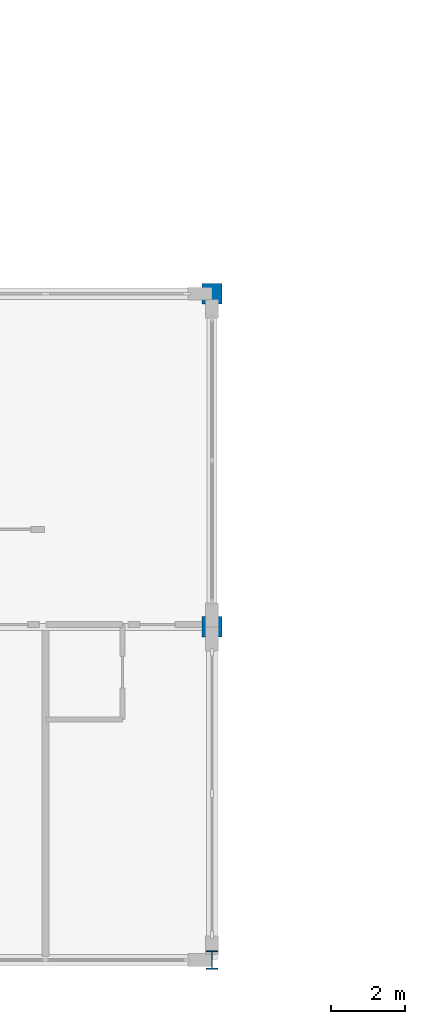
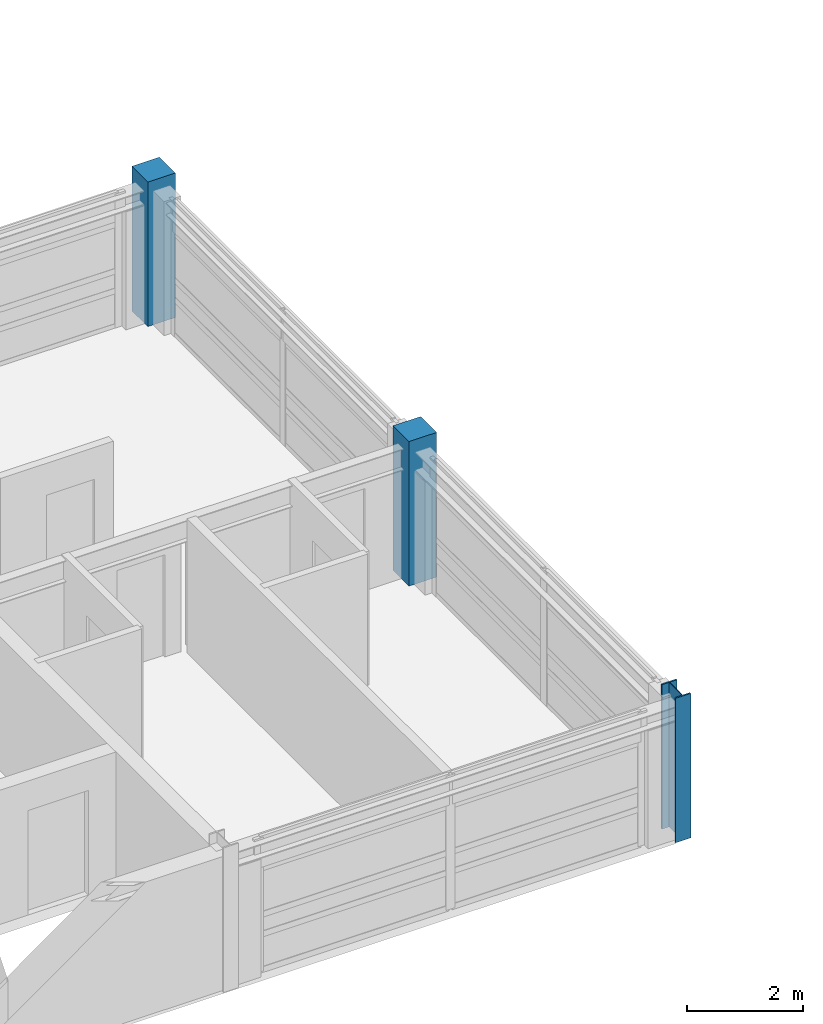
# One storey, part 4 of 30: 3 columns.
"""IFC4 building model written with IfcOpenShell, lengths in metres."""

from ifc_helpers import new_model, si_unit, direction, frame, origin, origin_2d, place, context, subcontext, project, spatial, rectangle, i_section, extrude, material, material_profile, profile_set, type_object, element, save


model = new_model("IFC4")

# Units and contexts
model_context = context("Model", 3, precision=1e-05, world=origin(), true_north=direction((0.0, 1.0)))
body_context = subcontext(model_context, "Body", "Model", "MODEL_VIEW")
ifc_project = project(units=[si_unit("LENGTHUNIT", "METRE"), si_unit("AREAUNIT", "SQUARE_METRE"), si_unit("VOLUMEUNIT", "CUBIC_METRE"), si_unit("PLANEANGLEUNIT", "RADIAN"), si_unit("MASSUNIT", "GRAM", prefix="KILO")], contexts=[model_context])

# Site, building, storey
site_placement = place(None, origin())
site = spatial("IfcSite", under=ifc_project, at=site_placement, CompositionType="ELEMENT")
building_placement = place(site_placement, origin())
building = spatial("IfcBuilding", under=site, at=building_placement, Name="Palais des Congres Ocreval", CompositionType="ELEMENT")
storey_placement = place(building_placement, frame((0.0, 0.0, 14.56005859375)))
storey = spatial("IfcBuildingStorey", under=building, at=storey_placement, Name="L04", CompositionType="ELEMENT", Elevation=14.56005859375)

# Columns
ifc_material_1 = material(Name="Steel S355", Category="steel")
ifc_material_profile_1 = material_profile(ifc_material_1, i_section(OverallWidth=0.300048828125, OverallDepth=0.5, WebThickness=0.014404296875, FlangeThickness=0.028076171875, at=origin_2d()), Name="HEB 500")
ifc_profile_set_1 = profile_set([ifc_material_profile_1], Name="Steel S355")
column_type_1 = type_object("IfcColumnType", Name="Column HEB 500 Steel S355", PredefinedType="COLUMN", material=ifc_profile_set_1)
column_placement = place(storey_placement, frame((72.0, 0.0, 0.0), z_axis=(0.0, 0.0, 1.0), x_axis=(1.0, 0.0, 0.0)))
element("IfcColumn", 1, at=column_placement, inside=storey, type_object=column_type_1, Name="Column C08 L04", PredefinedType="COLUMN", context=body_context, shape_type="SweptSolid", body=[
    extrude(i_section(OverallWidth=0.300048828125, OverallDepth=0.5, WebThickness=0.014404296875, FlangeThickness=0.028076171875, at=origin_2d()), origin(), (0.0, 0.0, 1.0), 3.0400390625),
])
ifc_material_2 = material(Name="Concrete C40/50", Category="concrete")
ifc_material_profile_2 = material_profile(ifc_material_2, rectangle(XDim=0.550048828125, YDim=0.550048828125, at=origin_2d()), Name="RC 550x550")
ifc_profile_set_2 = profile_set([ifc_material_profile_2], Name="Concrete C40/50")
column_type_2 = type_object("IfcColumnType", Name="Column RC 550x550 Concrete C40/50", PredefinedType="COLUMN", material=ifc_profile_set_2)
for number, where, z_axis, x_axis, name in (
    (2, (72.0, 9.0, 0.0), (0.0, 0.0, 1.0), (1.0, 0.0, 0.0), "Column C24 L04"),
    (3, (72.0, 18.0, 0.0), (0.0, 0.0, 1.0), (1.0, 0.0, 0.0), "Column C24 L04"),
):
    element("IfcColumn", number, at=place(storey_placement, frame(where, z_axis=z_axis, x_axis=x_axis)), inside=storey, type_object=column_type_2, Name=name, PredefinedType="COLUMN", context=body_context, shape_type="SweptSolid", body=[
        extrude(rectangle(XDim=0.550048828125, YDim=0.550048828125, at=origin_2d()), origin(), (0.0, 0.0, 1.0), 3.0400390625),
    ])

save(model, "model.ifc")
